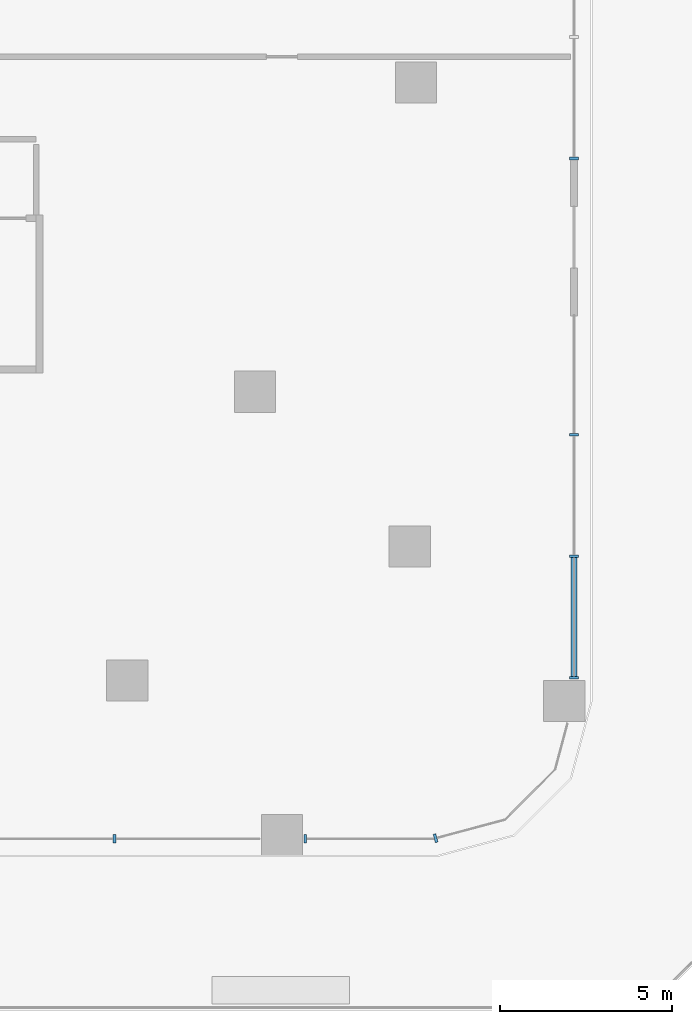
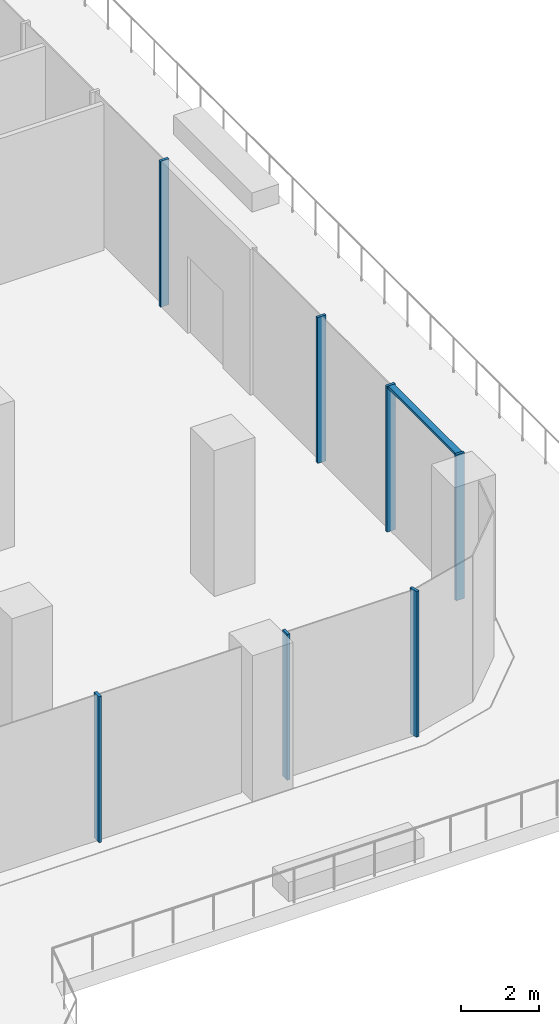
# One storey, part 5 of 30: 8 members, 3 elements without a shape of their own.
"""IFC4 building model written with IfcOpenShell, lengths in metres."""

from ifc_helpers import new_model, si_unit, direction, frame, origin, place, context, subcontext, project, spatial, polyline, outline, extrude, source, transform, mapped, material, type_object, element, aggregate, save


model = new_model("IFC4")

# Units and contexts
model_context = context("Model", 3, precision=1e-05, world=origin(), true_north=direction((0.0, 1.0)))
body_context = subcontext(model_context, "Body", "Model", "MODEL_VIEW")
ifc_project = project(units=[si_unit("LENGTHUNIT", "METRE"), si_unit("AREAUNIT", "SQUARE_METRE"), si_unit("VOLUMEUNIT", "CUBIC_METRE"), si_unit("PLANEANGLEUNIT", "RADIAN"), si_unit("MASSUNIT", "GRAM", prefix="KILO")], contexts=[model_context])

# Site, building, storey
site_placement = place(None, origin())
site = spatial("IfcSite", under=ifc_project, at=site_placement, CompositionType="ELEMENT")
building_placement = place(site_placement, origin())
building = spatial("IfcBuilding", under=site, at=building_placement, Name="Zarbagh Exchange Tower", CompositionType="ELEMENT")
storey_placement = place(building_placement, frame((0.0, 0.0, 7.0)))
storey = spatial("IfcBuildingStorey", under=building, at=storey_placement, Name="L01", CompositionType="ELEMENT", Elevation=7.0)

# Curtain wall, members
ifc_material_1 = material(Name="Anodised aluminium frame and glazing", Category="aluminium")
curtain_wall_type = type_object("IfcCurtainWallType", Name="CWC Podium garden-wall glazing", PredefinedType="NOTDEFINED", material=ifc_material_1)
curtain_wall_1_placement = place(storey_placement, origin())
curtain_wall_1 = element("IfcCurtainWall", 1, at=curtain_wall_1_placement, inside=storey, type_object=curtain_wall_type, Name="CWC58 curtain wall", PredefinedType="NOTDEFINED")
ifc_material_2 = material(Name="Anodised aluminium frame", Category="aluminium")
member_type_1 = type_object("IfcMemberType", Name="MUC Mullion, anodised aluminium frame", PredefinedType="MULLION", material=ifc_material_2)
shared_shape_1 = source(origin(), body_context, "Body", "SweptSolid", [
    extrude(outline(polyline([(0.0, -0.125), (0.080078125, -0.125), (0.080078125, 0.125), (0.0, 0.125), (0.0, -0.125)])), origin(), (0.0, 0.0, 1.0), 4.550048828125),
])
placement = place(storey_placement, origin())
member_1 = element("IfcMember", 2, at=placement, type_object=member_type_1, Name="CWC58 mullion 1.3", PredefinedType="MULLION", context=body_context, shape_type="MappedRepresentation", body=[
    mapped(shared_shape_1, transform((37.836669921875, -24.25, 0.0), x_axis=(1.0, 0.0, 0.0), y_axis=(0.0, 1.0, 0.0), z_axis=(0.0, 0.0, 1.0))),
])
member_2 = element("IfcMember", 3, at=placement, type_object=member_type_1, Name="CWC58 mullion 2.1", PredefinedType="MULLION", context=body_context, shape_type="MappedRepresentation", body=[
    mapped(shared_shape_1, transform((43.39013671875, -24.25, 0.0), x_axis=(1.0, 0.0, 0.0), y_axis=(0.0, 1.0, 0.0), z_axis=(0.0, 0.0, 1.0))),
])
aggregate(curtain_wall_1, [member_1, member_2])

# Curtain wall, member
curtain_wall_2_placement = place(storey_placement, origin())
curtain_wall_2 = element("IfcCurtainWall", 4, at=curtain_wall_2_placement, inside=storey, type_object=curtain_wall_type, Name="CWC59 curtain wall", PredefinedType="NOTDEFINED")
member_3 = element("IfcMember", 5, at=placement, type_object=member_type_1, Name="CWC59 mullion 1.1", PredefinedType="MULLION", context=body_context, shape_type="MappedRepresentation", body=[
    mapped(shared_shape_1, transform((47.18408203125, -24.25, 0.0), x_axis=(0.965924289636, 0.258824779902, 0.0), y_axis=(-0.258824779902, 0.965924289636, 0.0), z_axis=(0.0, 0.0, 1.0))),
])
aggregate(curtain_wall_2, [member_3])

# Curtain wall, members
curtain_wall_3_placement = place(storey_placement, origin())
curtain_wall_3 = element("IfcCurtainWall", 6, at=curtain_wall_3_placement, inside=storey, type_object=curtain_wall_type, Name="CWC62 curtain wall", PredefinedType="NOTDEFINED")
member_4 = element("IfcMember", 7, at=placement, type_object=member_type_1, Name="CWC62 mullion 1.1", PredefinedType="MULLION", context=body_context, shape_type="MappedRepresentation", body=[
    mapped(shared_shape_1, transform((51.25, -19.60986328125, 0.0), x_axis=(0.0, 1.0, 0.0), y_axis=(-1.0, 0.0, 0.0), z_axis=(0.0, 0.0, 1.0))),
])
member_5 = element("IfcMember", 8, at=placement, type_object=member_type_1, Name="CWC62 mullion 1.2", PredefinedType="MULLION", context=body_context, shape_type="MappedRepresentation", body=[
    mapped(shared_shape_1, transform((51.25, -16.0732421875, 0.0), x_axis=(0.0, 1.0, 0.0), y_axis=(-1.0, 0.0, 0.0), z_axis=(0.0, 0.0, 1.0))),
])
member_6 = element("IfcMember", 9, at=placement, type_object=member_type_1, Name="CWC62 mullion 1.3", PredefinedType="MULLION", context=body_context, shape_type="MappedRepresentation", body=[
    mapped(shared_shape_1, transform((51.25, -12.53662109375, 0.0), x_axis=(0.0, 1.0, 0.0), y_axis=(-1.0, 0.0, 0.0), z_axis=(0.0, 0.0, 1.0))),
])
member_7 = element("IfcMember", 10, at=placement, type_object=member_type_1, Name="CWC62 mullion 2.1", PredefinedType="MULLION", context=body_context, shape_type="MappedRepresentation", body=[
    mapped(shared_shape_1, transform((51.25, -4.5, 0.0), x_axis=(0.0, 1.0, 0.0), y_axis=(-1.0, 0.0, 0.0), z_axis=(0.0, 0.0, 1.0))),
])
member_type_2 = type_object("IfcMemberType", Name="TRC Transom, anodised aluminium frame", PredefinedType="USERDEFINED", material=ifc_material_2)
shared_shape_2 = source(origin(), body_context, "Body", "SweptSolid", [
    extrude(outline(polyline([(-0.080078125, -0.090087890625), (0.0, -0.090087890625), (0.0, 0.090087890625), (-0.080078125, 0.090087890625), (-0.080078125, -0.090087890625)])), origin(), (0.0, 0.0, 1.0), 3.456787109375),
])
member_8 = element("IfcMember", 11, at=placement, type_object=member_type_2, Name="CWC62 transom 1.1", ObjectType="TRANSOM", PredefinedType="USERDEFINED", context=body_context, shape_type="MappedRepresentation", body=[
    mapped(shared_shape_2, transform((51.25, -19.530029296875, 4.550048828125), x_axis=(0.0, 0.0, 1.0), y_axis=(1.0, 0.0, 0.0), z_axis=(0.0, 1.0, 0.0))),
])
aggregate(curtain_wall_3, [member_4, member_8, member_5, member_6, member_7])

save(model, "model.ifc")
